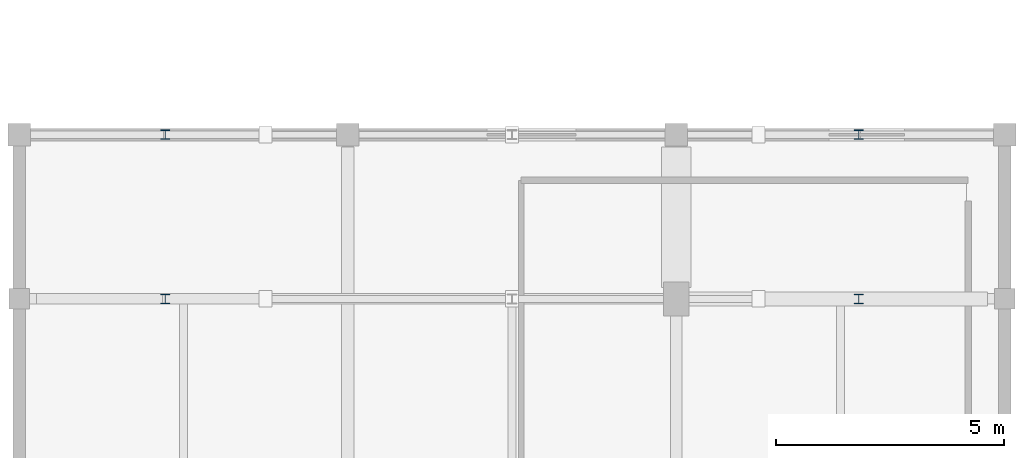
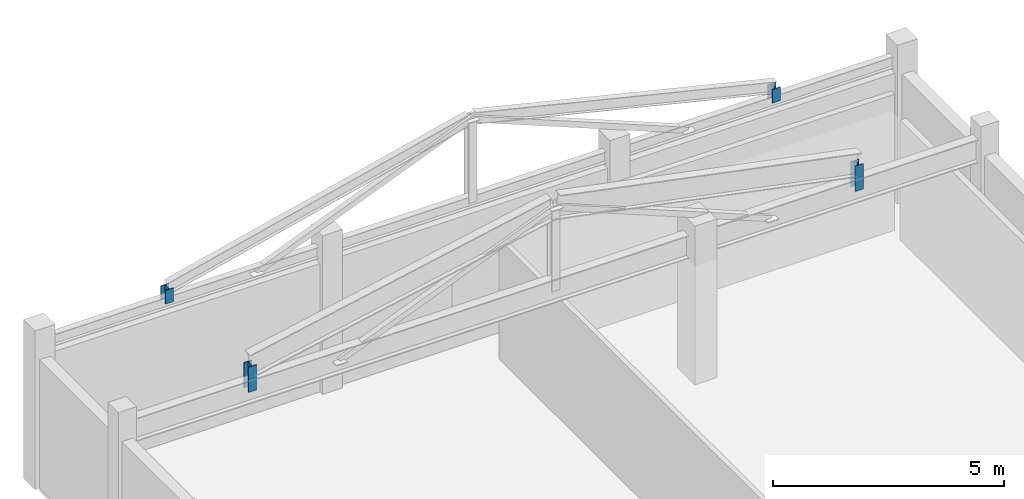
# One storey, part 43 of 90: 4 members.
"""IFC4 building model written with IfcOpenShell, lengths in metres."""

from ifc_helpers import new_model, si_unit, direction, frame, origin, origin_2d, place, context, subcontext, project, spatial, i_section, extrude, material, material_profile, profile_set, type_object, element, save


model = new_model("IFC4")

# Units and contexts
model_context = context("Model", 3, precision=1e-05, world=origin(), true_north=direction((0.0, 1.0)))
body_context = subcontext(model_context, "Body", "Model", "MODEL_VIEW")
ifc_project = project(units=[si_unit("LENGTHUNIT", "METRE"), si_unit("AREAUNIT", "SQUARE_METRE"), si_unit("VOLUMEUNIT", "CUBIC_METRE"), si_unit("PLANEANGLEUNIT", "RADIAN"), si_unit("MASSUNIT", "GRAM", prefix="KILO")], contexts=[model_context])

# Site, building, storey
site_placement = place(None, origin())
site = spatial("IfcSite", under=ifc_project, at=site_placement, CompositionType="ELEMENT")
building_placement = place(site_placement, origin())
building = spatial("IfcBuilding", under=site, at=building_placement, Name="Solanera Park Tramway Depot", CompositionType="ELEMENT")
storey_placement = place(building_placement, frame((0.0, 0.0, 9.0)))
storey = spatial("IfcBuildingStorey", under=building, at=storey_placement, Name="L02", CompositionType="ELEMENT", Elevation=9.0)

# Members
ifc_material = material(Name="Steel AS/NZS 3679.1 Grade 350", Category="steel")
ifc_material_profile = material_profile(ifc_material, i_section(OverallWidth=0.205078125, OverallDepth=0.209716796875, WebThickness=0.00927734375, FlangeThickness=0.01416015625, at=origin_2d()), Name="200UC59.5")
ifc_profile_set = profile_set([ifc_material_profile], Name="Steel AS/NZS 3679.1 Grade 350")
member_type = type_object("IfcMemberType", Name="Roof Gantry Compression Strut 200UC59.5", PredefinedType="STRUT", material=ifc_profile_set)
for number, where, z_axis, x_axis, name in (
    (1, (168.800048828125, 82.800048828125, 3.494140625), (0.0, 0.0, 1.0), (1.0, 0.0, 0.0), "Hip ROOF TRUSS Heel Post #0152"),
    (2, (184.0, 82.800048828125, 3.494140625), (0.0, 0.0, 1.0), (1.0, 0.0, 0.0), "Hip ROOF TRUSS Heel Post #0153"),
):
    element("IfcMember", number, at=place(storey_placement, frame(where, z_axis=z_axis, x_axis=x_axis)), inside=storey, type_object=member_type, Name=name, PredefinedType="STRUT", context=body_context, shape_type="SweptSolid", body=[
        extrude(i_section(OverallWidth=0.205078125, OverallDepth=0.209716796875, WebThickness=0.00927734375, FlangeThickness=0.01416015625, at=origin_2d()), origin(), (0.0, 0.0, 1.0), 0.671630859375),
    ])
for number, where, z_axis, x_axis, name in (
    (3, (168.800048828125, 86.39990234375, 3.648193359375), (0.0, 0.0, 1.0), (1.0, 0.0, 0.0), "Hip ROOF TRUSS Heel Post #0155"),
    (4, (184.0, 86.39990234375, 3.648193359375), (0.0, 0.0, 1.0), (1.0, 0.0, 0.0), "Hip ROOF TRUSS Heel Post #0156"),
):
    element("IfcMember", number, at=place(storey_placement, frame(where, z_axis=z_axis, x_axis=x_axis)), inside=storey, type_object=member_type, Name=name, PredefinedType="STRUT", context=body_context, shape_type="SweptSolid", body=[
        extrude(i_section(OverallWidth=0.205078125, OverallDepth=0.209716796875, WebThickness=0.00927734375, FlangeThickness=0.01416015625, at=origin_2d()), origin(), (0.0, 0.0, 1.0), 0.36376953125),
    ])

save(model, "model.ifc")
